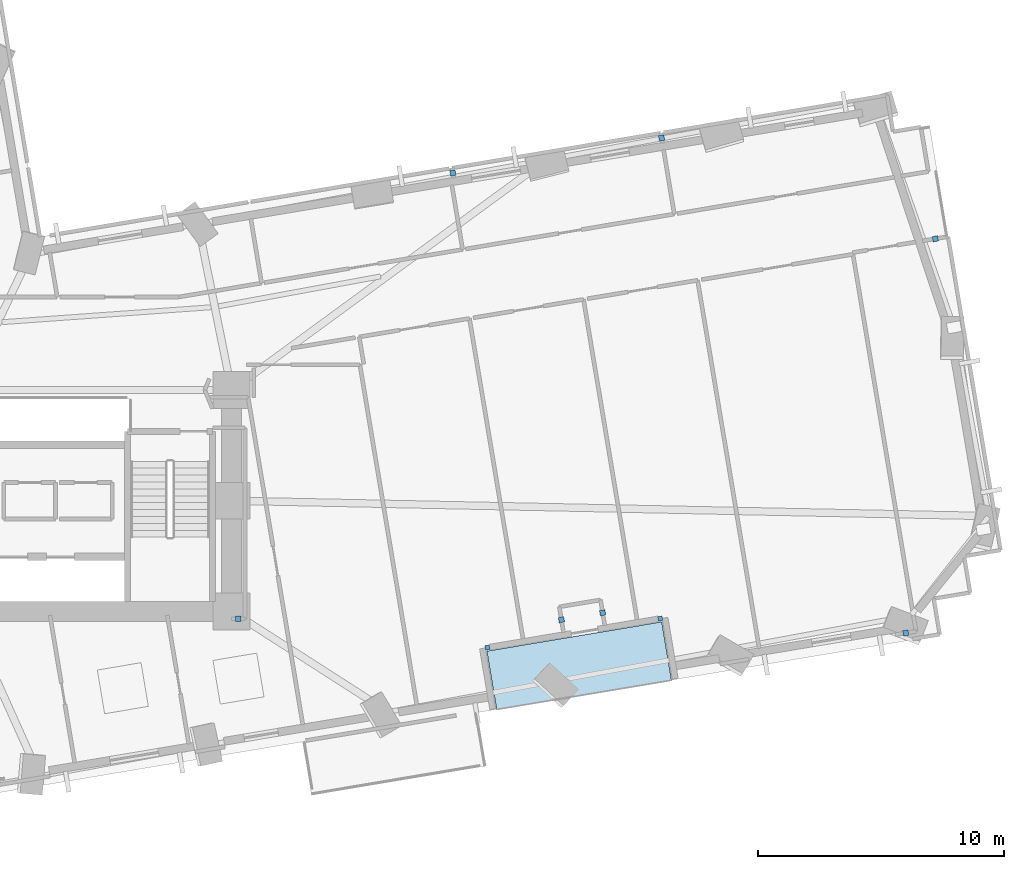
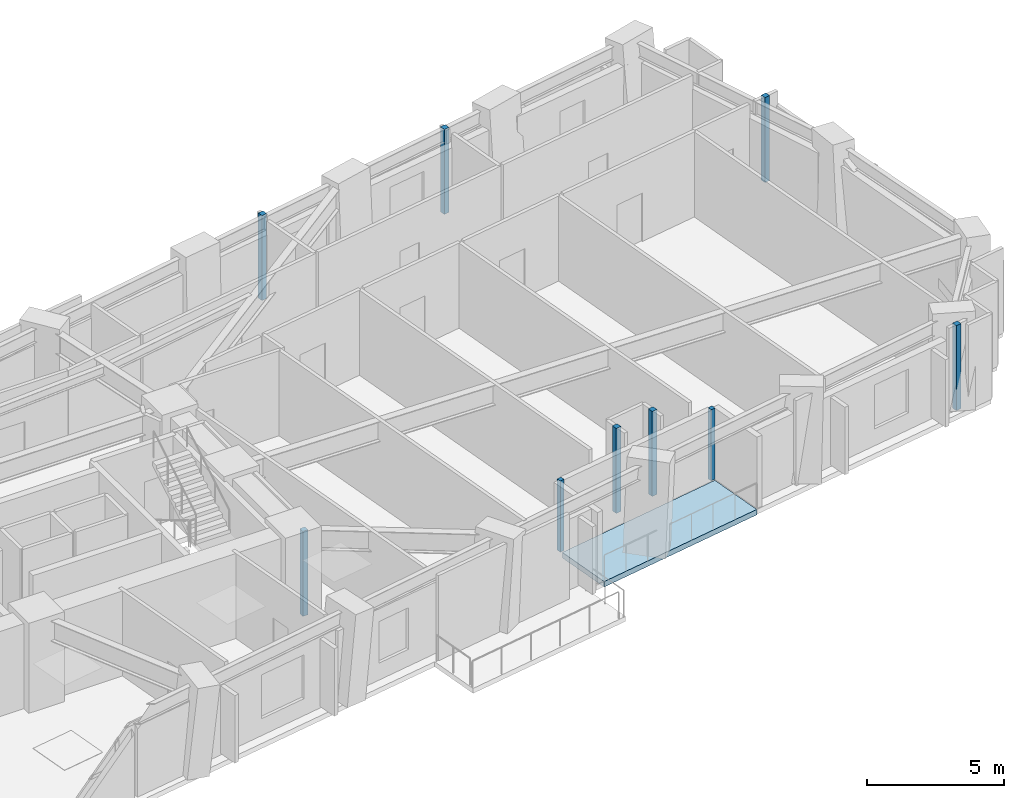
# One storey, part 6 of 16: 9 plates, 1 slab.
"""IFC4 building model written with IfcOpenShell, lengths in metres."""

from ifc_helpers import new_model, si_unit, direction, frame, origin, origin_2d, place, context, subcontext, project, spatial, polyline, rectangle, outline, extrude, material, layer, layer_set, type_object, element, save


model = new_model("IFC4")

# Units and contexts
model_context = context("Model", 3, precision=1e-05, world=origin(), true_north=direction((0.0, 1.0)))
body_context = subcontext(model_context, "Body", "Model", "MODEL_VIEW")
ifc_project = project(units=[si_unit("LENGTHUNIT", "METRE"), si_unit("AREAUNIT", "SQUARE_METRE"), si_unit("VOLUMEUNIT", "CUBIC_METRE"), si_unit("PLANEANGLEUNIT", "RADIAN"), si_unit("MASSUNIT", "GRAM", prefix="KILO")], contexts=[model_context])

# Site, building, storey
site_placement = place(None, origin())
site = spatial("IfcSite", under=ifc_project, at=site_placement, CompositionType="ELEMENT")
building_placement = place(site_placement, origin())
building = spatial("IfcBuilding", under=site, at=building_placement, Name="Gaonmaruhae Medical Tower", CompositionType="ELEMENT")
storey_placement = place(building_placement, frame((0.0, 0.0, 63.0)))
storey = spatial("IfcBuildingStorey", under=building, at=storey_placement, Name="L14", CompositionType="ELEMENT", Elevation=63.0)

# Plates
ifc_material_1 = material(Name="Anodised aluminium 6063-T6", Category="aluminium")
ifc_layer_1 = layer(ifc_material_1, 0.011962890625)
ifc_layer_set_1 = layer_set([ifc_layer_1], Name="Anodised aluminium 6063-T6")
plate_type = type_object("IfcPlateType", Name="PP-01 Interior Partition Corner Stiffener Plate", PredefinedType="SHEET", material=ifc_layer_set_1)
for number, where, z_axis, x_axis, name in (
    (1, (53.016357421875, 7.507568359375, 0.0), (0.0, 0.0, 1.0), (-0.986285601537, -0.165047605861, 0.0), "L14 Partition End Jamb Post Plate PLT-L14-ENDP-TERB-0"),
    (2, (45.993896484375, 6.332275390625, 0.0), (0.0, 0.0, 1.0), (-0.986285601537, -0.165047605861, 0.0), "L14 Partition End Jamb Post Plate PLT-L14-ENDP-TERB-1"),
):
    element("IfcPlate", number, at=place(storey_placement, frame(where, z_axis=z_axis, x_axis=x_axis)), inside=storey, type_object=plate_type, Name=name, PredefinedType="SHEET", context=body_context, shape_type="SweptSolid", body=[
        extrude(rectangle(XDim=0.179931640625, YDim=0.179931640625, at=origin_2d()), origin(), (0.0, 0.0, 1.0), 3.1650390625),
    ])
for number, where, z_axis, x_axis, name in (
    (3, (35.875, 7.5, 0.0), (0.0, 0.0, 1.0), (1.0, 0.0, 0.0), "L14 Partition Corner Stiffener Plate PLT-L14-JGP-PW021"),
    (4, (50.678955078125, 7.74755859375, 0.0), (0.0, 0.0, 1.0), (-0.164858249578, 0.986317270226, 0.0), "L14 Partition Corner Stiffener Plate PLT-L14-JGP-PW031"),
    (5, (49.0029296875, 7.467041015625, 0.0), (0.0, 0.0, 1.0), (0.165013177898, -0.986291362185, 0.0), "L14 Partition Corner Stiffener Plate PLT-L14-JGP-PW033"),
    (6, (62.992919921875, 6.926025390625, 0.0), (0.0, 0.0, 1.0), (-0.986331653067, -0.164772176531, 0.0), "L14 Partition Corner Stiffener Plate PLT-L14-JGP-PW040"),
    (7, (44.592529296875, 25.617919921875, 0.0), (0.0, 0.0, 1.0), (-0.165959873466, 0.986132506512, 0.0), "L14 Partition Corner Stiffener Plate PLT-L14-JGP-PW080"),
    (8, (53.073974609375, 27.03759765625, 0.0), (0.0, 0.0, 1.0), (0.164014679685, -0.986457898163, 0.0), "L14 Partition Corner Stiffener Plate PLT-L14-JGP-PW082"),
    (9, (64.197021484375, 22.944580078125, 0.0), (0.0, 0.0, 1.0), (0.986239473095, 0.16532302232, 0.0), "L14 Partition Corner Stiffener Plate PLT-L14-JGP-PW114"),
):
    element("IfcPlate", number, at=place(storey_placement, frame(where, z_axis=z_axis, x_axis=x_axis)), inside=storey, type_object=plate_type, Name=name, PredefinedType="SHEET", context=body_context, shape_type="SweptSolid", body=[
        extrude(rectangle(XDim=0.219970703125, YDim=0.219970703125, at=origin_2d()), origin(), (0.0, 0.0, 1.0), 3.780029296875),
    ])

# Slab
ifc_material_2 = material(Name="Concrete C40/50", Category="concrete")
ifc_layer_2 = layer(ifc_material_2, 0.239990234375)
ifc_layer_set_2 = layer_set([ifc_layer_2], Name="Concrete C40/50")
slab_type = type_object("IfcSlabType", Name="TS-240 Sky Garden & Recovery Terrace Slab", PredefinedType="FLOOR", material=ifc_layer_set_2)
slab_placement = place(storey_placement, frame((0.0, 0.0, -0.239990234375)))
element("IfcSlab", 10, at=slab_placement, inside=storey, type_object=slab_type, Name="L14 Outdoor Recovery Terrace Slab", PredefinedType="FLOOR", context=body_context, shape_type="SweptSolid", body=[
    extrude(outline(polyline([(46.373779296875, 3.820556640625), (53.47509765625, 5.0087890625), (53.078857421875, 7.3759765625), (45.977783203125, 6.187744140625), (46.373779296875, 3.820556640625)])), origin(), (0.0, 0.0, 1.0), 0.239990234375),
])

save(model, "model.ifc")
